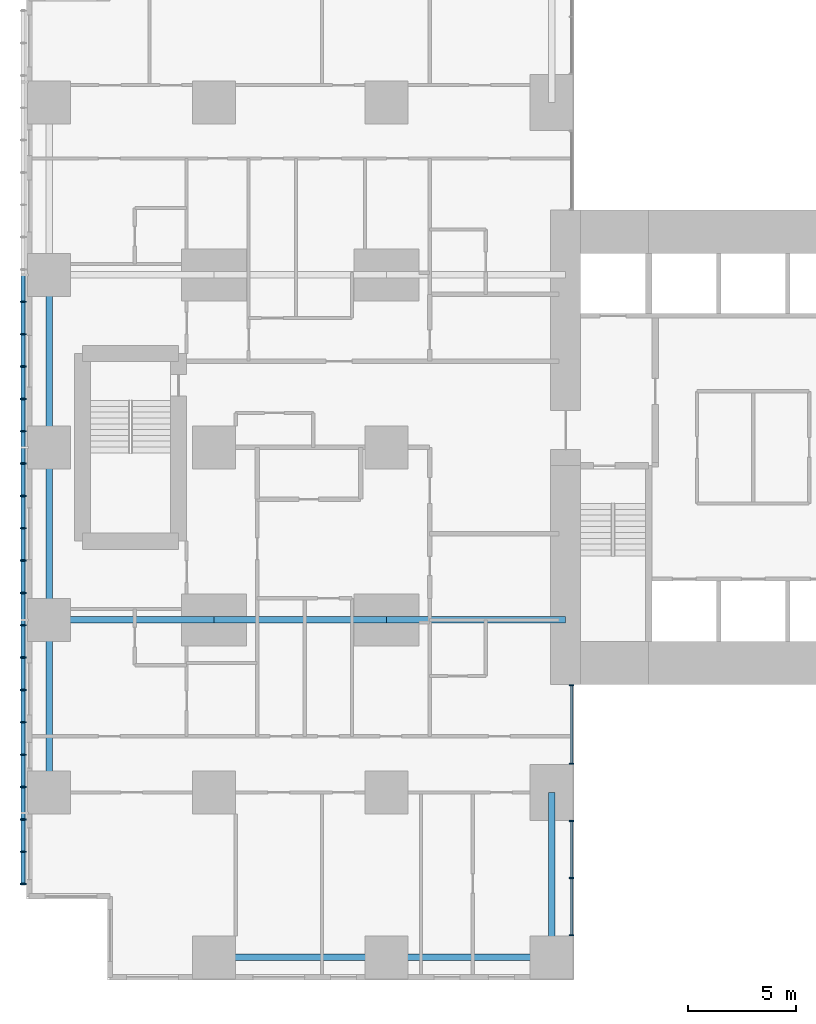
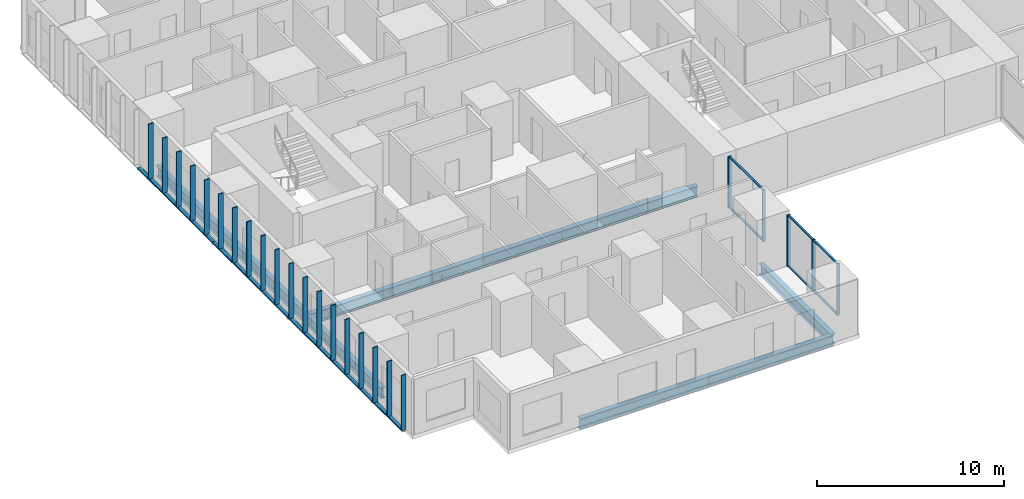
# One storey, part 2 of 20: 33 members, 9 beams, 2 elements without a shape of their own.
"""IFC4 building model written with IfcOpenShell, lengths in metres."""

from ifc_helpers import new_model, si_unit, direction, frame, origin, origin_2d, place, context, subcontext, project, spatial, rectangle, hollow_rectangle, i_section, extrude, material, layer, layer_set, material_profile, profile_set, type_object, element, aggregate, save


model = new_model("IFC4")

# Units and contexts
model_context = context("Model", 3, precision=1e-05, world=origin(), true_north=direction((0.0, 1.0)))
body_context = subcontext(model_context, "Body", "Model", "MODEL_VIEW")
ifc_project = project(units=[si_unit("LENGTHUNIT", "METRE"), si_unit("AREAUNIT", "SQUARE_METRE"), si_unit("VOLUMEUNIT", "CUBIC_METRE"), si_unit("PLANEANGLEUNIT", "RADIAN"), si_unit("MASSUNIT", "GRAM", prefix="KILO")], contexts=[model_context])

# Site, building, storey
site_placement = place(None, origin())
site = spatial("IfcSite", under=ifc_project, at=site_placement, CompositionType="ELEMENT")
building_placement = place(site_placement, origin())
building = spatial("IfcBuilding", under=site, at=building_placement, Name="Cleftline Residences", CompositionType="ELEMENT")
storey_placement = place(building_placement, frame((0.0, 0.0, 36.800048828125)))
storey = spatial("IfcBuildingStorey", under=building, at=storey_placement, Name="L08", CompositionType="ELEMENT", Elevation=36.800048828125)

# Members
ifc_material_1 = material(Name="Steel S355, hot-dip galvanised", Category="steel")
ifc_material_profile_1 = material_profile(ifc_material_1, hollow_rectangle(XDim=0.10009765625, YDim=0.199951171875, WallThickness=0.008056640625, InnerFilletRadius=0.008056640625, OuterFilletRadius=0.011962890625, at=origin_2d()))
ifc_profile_set_1 = profile_set([ifc_material_profile_1], Name="Steel S355, hot-dip galvanised")
member_type_1 = type_object("IfcMemberType", Name="BAGUETTE CARRIER RHS 200X100X8", PredefinedType="USERDEFINED", material=ifc_profile_set_1)
for number, where, z_axis, x_axis, name in (
    (1, (-0.85009765625, 32.0, -0.050048828125), (0.0, -1.0, 0.0), (0.0, 0.0, 1.0), "Baguette carrier"),
    (2, (-0.85009765625, 24.0, -0.050048828125), (0.0, -1.0, 0.0), (0.0, 0.0, 1.0), "Baguette carrier"),
):
    element("IfcMember", number, at=place(storey_placement, frame(where, z_axis=z_axis, x_axis=x_axis)), inside=storey, type_object=member_type_1, Name=name, ObjectType="BAGUETTE CARRIER", PredefinedType="USERDEFINED", context=body_context, shape_type="SweptSolid", body=[
        extrude(hollow_rectangle(XDim=0.10009765625, YDim=0.199951171875, WallThickness=0.008056640625, InnerFilletRadius=0.008056640625, OuterFilletRadius=0.011962890625, at=origin_2d()), origin(), (0.0, 0.0, 1.0), 8.0),
    ])
member_1_placement = place(storey_placement, frame((-0.85009765625, 16.0, -0.050048828125), z_axis=(0.0, -1.0, 0.0), x_axis=(0.0, 0.0, 1.0)))
element("IfcMember", 3, at=member_1_placement, inside=storey, type_object=member_type_1, Name="Baguette carrier", ObjectType="BAGUETTE CARRIER", PredefinedType="USERDEFINED", context=body_context, shape_type="SweptSolid", body=[
    extrude(hollow_rectangle(XDim=0.10009765625, YDim=0.199951171875, WallThickness=0.008056640625, InnerFilletRadius=0.008056640625, OuterFilletRadius=0.011962890625, at=origin_2d()), origin(), (0.0, 0.0, 1.0), 12.300048828125),
])

# Beams
ifc_material_2 = material(Name="Steel S355", Category="steel")
ifc_material_profile_2 = material_profile(ifc_material_2, i_section(OverallWidth=0.300048828125, OverallDepth=0.699951171875, WebThickness=0.01708984375, FlangeThickness=0.031982421875, FilletRadius=0.027099609375, at=origin_2d()))
ifc_profile_set_2 = profile_set([ifc_material_profile_2], Name="Steel S355")
beam_type_1 = type_object("IfcBeamType", Name="BEAM HEB 700", PredefinedType="BEAM", material=ifc_profile_set_2)
for number, where, z_axis, x_axis, name in (
    (4, (0.35009765625, 8.0, -0.60009765625), (0.0, 1.0, 0.0), (-1.0, 0.0, 0.0), "Edge beam"),
    (5, (0.35009765625, 16.0, -0.60009765625), (0.0, 1.0, 0.0), (-1.0, 0.0, 0.0), "Edge beam"),
    (6, (0.35009765625, 24.0, -0.60009765625), (0.0, 1.0, 0.0), (-1.0, 0.0, 0.0), "Edge beam"),
    (7, (8.0, 0.35009765625, -0.60009765625), (1.0, 0.0, 0.0), (0.0, 1.0, 0.0), "Edge beam"),
):
    element("IfcBeam", number, at=place(storey_placement, frame(where, z_axis=z_axis, x_axis=x_axis)), inside=storey, type_object=beam_type_1, Name=name, PredefinedType="BEAM", context=body_context, shape_type="SweptSolid", body=[
        extrude(i_section(OverallWidth=0.300048828125, OverallDepth=0.699951171875, WebThickness=0.01708984375, FlangeThickness=0.031982421875, FilletRadius=0.027099609375, at=origin_2d()), origin(), (0.0, 0.0, 1.0), 8.0),
    ])
for number, where, z_axis, x_axis, name in (
    (8, (16.0, 0.35009765625, -0.60009765625), (1.0, 0.0, 0.0), (0.0, 1.0, 0.0), "Edge beam"),
    (9, (23.64990234375, 0.35009765625, -0.60009765625), (0.0, 1.0, 0.0), (-1.0, 0.0, 0.0), "Edge beam"),
):
    element("IfcBeam", number, at=place(storey_placement, frame(where, z_axis=z_axis, x_axis=x_axis)), inside=storey, type_object=beam_type_1, Name=name, PredefinedType="BEAM", context=body_context, shape_type="SweptSolid", body=[
        extrude(i_section(OverallWidth=0.300048828125, OverallDepth=0.699951171875, WebThickness=0.01708984375, FlangeThickness=0.031982421875, FilletRadius=0.027099609375, at=origin_2d()), origin(), (0.0, 0.0, 1.0), 7.64990234375),
    ])
ifc_material_3 = material(Name="Steel S355", Category="steel")
ifc_material_profile_3 = material_profile(ifc_material_3, i_section(OverallWidth=0.303955078125, OverallDepth=0.716064453125, WebThickness=0.02099609375, FlangeThickness=0.0400390625, FilletRadius=0.027099609375, at=origin_2d()))
ifc_profile_set_3 = profile_set([ifc_material_profile_3], Name="Steel S355")
beam_type_2 = type_object("IfcBeamType", Name="BEAM HEM 700", PredefinedType="BEAM", material=ifc_profile_set_3)
beam_1_placement = place(storey_placement, frame((0.35009765625, 16.0, -0.608154296875), z_axis=(1.0, 0.0, 0.0), x_axis=(0.0, 1.0, 0.0)))
element("IfcBeam", 10, at=beam_1_placement, inside=storey, type_object=beam_type_2, Name="Band beam", PredefinedType="BEAM", context=body_context, shape_type="SweptSolid", body=[
    extrude(i_section(OverallWidth=0.303955078125, OverallDepth=0.716064453125, WebThickness=0.02099609375, FlangeThickness=0.0400390625, FilletRadius=0.027099609375, at=origin_2d()), origin(), (0.0, 0.0, 1.0), 7.64990234375),
])
beam_2_placement = place(storey_placement, frame((8.0, 16.0, -0.608154296875), z_axis=(1.0, 0.0, 0.0), x_axis=(0.0, 1.0, 0.0)))
element("IfcBeam", 11, at=beam_2_placement, inside=storey, type_object=beam_type_2, Name="Band beam", PredefinedType="BEAM", context=body_context, shape_type="SweptSolid", body=[
    extrude(i_section(OverallWidth=0.303955078125, OverallDepth=0.716064453125, WebThickness=0.02099609375, FlangeThickness=0.0400390625, FilletRadius=0.027099609375, at=origin_2d()), origin(), (0.0, 0.0, 1.0), 8.0),
])
beam_3_placement = place(storey_placement, frame((16.0, 16.0, -0.608154296875), z_axis=(1.0, 0.0, 0.0), x_axis=(0.0, 1.0, 0.0)))
element("IfcBeam", 12, at=beam_3_placement, inside=storey, type_object=beam_type_2, Name="Band beam", PredefinedType="BEAM", context=body_context, shape_type="SweptSolid", body=[
    extrude(i_section(OverallWidth=0.303955078125, OverallDepth=0.716064453125, WebThickness=0.02099609375, FlangeThickness=0.0400390625, FilletRadius=0.027099609375, at=origin_2d()), origin(), (0.0, 0.0, 1.0), 8.300048828125),
])

# Curtain wall, members
ifc_material_4 = material(Name="Aluminium framed curtain wall", Category="aluminium")
ifc_layer = layer(ifc_material_4, 0.199951171875)
ifc_layer_set = layer_set([ifc_layer], Name="CW1 CLEFT GLAZING")
curtain_wall_type = type_object("IfcCurtainWallType", Name="CW1 CLEFT GLAZING", PredefinedType="NOTDEFINED", material=ifc_layer_set)
curtain_wall_1_placement = place(storey_placement, origin())
curtain_wall_1 = element("IfcCurtainWall", 13, at=curtain_wall_1_placement, inside=storey, type_object=curtain_wall_type, Name="Curtain wall CW1", PredefinedType="NOTDEFINED")
ifc_material_5 = material(Name="Aluminium mullion", Category="aluminium")
ifc_material_profile_4 = material_profile(ifc_material_5, rectangle(XDim=0.199951171875, YDim=0.06005859375, at=origin_2d()))
ifc_profile_set_4 = profile_set([ifc_material_profile_4], Name="Aluminium mullion")
member_type_2 = type_object("IfcMemberType", Name="CW1 MULLION", PredefinedType="MULLION", material=ifc_profile_set_4)
member_2_placement = place(storey_placement, frame((24.574951171875, 1.3798828125, 0.0), z_axis=(0.0, 0.0, 1.0), x_axis=(-1.0, 0.0, 0.0)))
member_2 = element("IfcMember", 14, at=member_2_placement, type_object=member_type_2, Name="CW1 mullion 1", PredefinedType="MULLION", context=body_context, shape_type="SweptSolid", body=[
    extrude(rectangle(XDim=0.199951171875, YDim=0.06005859375, at=origin_2d()), origin(), (0.0, 0.0, 1.0), 3.349853515625),
])
member_3_placement = place(storey_placement, frame((24.574951171875, 4.02490234375, 0.0), z_axis=(0.0, 0.0, 1.0), x_axis=(-1.0, 0.0, 0.0)))
member_3 = element("IfcMember", 15, at=member_3_placement, type_object=member_type_2, Name="CW1 mullion 2", PredefinedType="MULLION", context=body_context, shape_type="SweptSolid", body=[
    extrude(rectangle(XDim=0.199951171875, YDim=0.06005859375, at=origin_2d()), origin(), (0.0, 0.0, 1.0), 3.349853515625),
])
member_4_placement = place(storey_placement, frame((24.574951171875, 6.669921875, 0.0), z_axis=(0.0, 0.0, 1.0), x_axis=(-1.0, 0.0, 0.0)))
member_4 = element("IfcMember", 16, at=member_4_placement, type_object=member_type_2, Name="CW1 mullion 3", PredefinedType="MULLION", context=body_context, shape_type="SweptSolid", body=[
    extrude(rectangle(XDim=0.199951171875, YDim=0.06005859375, at=origin_2d()), origin(), (0.0, 0.0, 1.0), 3.349853515625),
])

curtain_wall_2_placement = place(storey_placement, origin())
curtain_wall_2 = element("IfcCurtainWall", 17, at=curtain_wall_2_placement, inside=storey, type_object=curtain_wall_type, Name="Curtain wall CW1", PredefinedType="NOTDEFINED")
member_5_placement = place(storey_placement, frame((24.574951171875, 9.330078125, 0.0), z_axis=(0.0, 0.0, 1.0), x_axis=(-1.0, 0.0, 0.0)))
member_5 = element("IfcMember", 18, at=member_5_placement, type_object=member_type_2, Name="CW1 mullion 1", PredefinedType="MULLION", context=body_context, shape_type="SweptSolid", body=[
    extrude(rectangle(XDim=0.199951171875, YDim=0.06005859375, at=origin_2d()), origin(), (0.0, 0.0, 1.0), 3.349853515625),
])
member_6_placement = place(storey_placement, frame((24.574951171875, 12.969970703125, 0.0), z_axis=(0.0, 0.0, 1.0), x_axis=(-1.0, 0.0, 0.0)))
member_6 = element("IfcMember", 19, at=member_6_placement, type_object=member_type_2, Name="CW1 mullion 2", PredefinedType="MULLION", context=body_context, shape_type="SweptSolid", body=[
    extrude(rectangle(XDim=0.199951171875, YDim=0.06005859375, at=origin_2d()), origin(), (0.0, 0.0, 1.0), 3.349853515625),
])

# Member
ifc_material_6 = material(Name="Aluminium transom", Category="aluminium")
ifc_material_profile_5 = material_profile(ifc_material_6, rectangle(XDim=0.1201171875, YDim=0.06005859375, at=origin_2d()))
ifc_profile_set_5 = profile_set([ifc_material_profile_5], Name="Aluminium transom")
member_type_3 = type_object("IfcMemberType", Name="CW1 TRANSOM", PredefinedType="USERDEFINED", material=ifc_profile_set_5)
member_7_placement = place(storey_placement, frame((24.574951171875, 1.409912109375, 0.030029296875), z_axis=(0.0, 1.0, 0.0), x_axis=(-1.0, 0.0, 0.0)))
member_7 = element("IfcMember", 20, at=member_7_placement, type_object=member_type_3, Name="CW1 transom 1.1", ObjectType="TRANSOM", PredefinedType="USERDEFINED", context=body_context, shape_type="SweptSolid", body=[
    extrude(rectangle(XDim=0.1201171875, YDim=0.06005859375, at=origin_2d()), origin(), (0.0, 0.0, 1.0), 2.585205078125),
])

member_8_placement = place(storey_placement, frame((24.574951171875, 1.409912109375, 3.320068359375), z_axis=(0.0, 1.0, 0.0), x_axis=(-1.0, 0.0, 0.0)))
member_8 = element("IfcMember", 21, at=member_8_placement, type_object=member_type_3, Name="CW1 transom 1.2", ObjectType="TRANSOM", PredefinedType="USERDEFINED", context=body_context, shape_type="SweptSolid", body=[
    extrude(rectangle(XDim=0.1201171875, YDim=0.06005859375, at=origin_2d()), origin(), (0.0, 0.0, 1.0), 2.585205078125),
])

member_9_placement = place(storey_placement, frame((24.574951171875, 4.054931640625, 0.030029296875), z_axis=(0.0, 1.0, 0.0), x_axis=(-1.0, 0.0, 0.0)))
member_9 = element("IfcMember", 22, at=member_9_placement, type_object=member_type_3, Name="CW1 transom 2.1", ObjectType="TRANSOM", PredefinedType="USERDEFINED", context=body_context, shape_type="SweptSolid", body=[
    extrude(rectangle(XDim=0.1201171875, YDim=0.06005859375, at=origin_2d()), origin(), (0.0, 0.0, 1.0), 2.5849609375),
])

member_10_placement = place(storey_placement, frame((24.574951171875, 4.054931640625, 3.320068359375), z_axis=(0.0, 1.0, 0.0), x_axis=(-1.0, 0.0, 0.0)))
member_10 = element("IfcMember", 23, at=member_10_placement, type_object=member_type_3, Name="CW1 transom 2.2", ObjectType="TRANSOM", PredefinedType="USERDEFINED", context=body_context, shape_type="SweptSolid", body=[
    extrude(rectangle(XDim=0.1201171875, YDim=0.06005859375, at=origin_2d()), origin(), (0.0, 0.0, 1.0), 2.5849609375),
])

aggregate(curtain_wall_1, [member_2, member_3, member_4, member_7, member_8, member_9, member_10])

member_11_placement = place(storey_placement, frame((24.574951171875, 9.360107421875, 0.030029296875), z_axis=(0.0, 1.0, 0.0), x_axis=(-1.0, 0.0, 0.0)))
member_11 = element("IfcMember", 24, at=member_11_placement, type_object=member_type_3, Name="CW1 transom 1.1", ObjectType="TRANSOM", PredefinedType="USERDEFINED", context=body_context, shape_type="SweptSolid", body=[
    extrude(rectangle(XDim=0.1201171875, YDim=0.06005859375, at=origin_2d()), origin(), (0.0, 0.0, 1.0), 3.579833984375),
])

member_12_placement = place(storey_placement, frame((24.574951171875, 9.360107421875, 3.320068359375), z_axis=(0.0, 1.0, 0.0), x_axis=(-1.0, 0.0, 0.0)))
member_12 = element("IfcMember", 25, at=member_12_placement, type_object=member_type_3, Name="CW1 transom 1.2", ObjectType="TRANSOM", PredefinedType="USERDEFINED", context=body_context, shape_type="SweptSolid", body=[
    extrude(rectangle(XDim=0.1201171875, YDim=0.06005859375, at=origin_2d()), origin(), (0.0, 0.0, 1.0), 3.579833984375),
])

aggregate(curtain_wall_2, [member_5, member_6, member_11, member_12])

# Members
ifc_material_7 = material(Name="Extruded terracotta", Category="masonry")
ifc_material_profile_6 = material_profile(ifc_material_7, rectangle(XDim=0.06005859375, YDim=0.300048828125, at=origin_2d()))
ifc_profile_set_6 = profile_set([ifc_material_profile_6], Name="Extruded terracotta")
member_type_4 = type_object("IfcMemberType", Name="TERRACOTTA BAGUETTE 60X300", PredefinedType="USERDEFINED", material=ifc_profile_set_6)
for number, where, z_axis, x_axis, name in (
    (26, (-0.85009765625, 30.75, 0.0), (0.0, 0.0, 1.0), (0.0, 1.0, 0.0), "Terracotta baguette"),
    (27, (-0.85009765625, 29.25, 0.0), (0.0, 0.0, 1.0), (0.0, 1.0, 0.0), "Terracotta baguette"),
    (28, (-0.85009765625, 27.75, 0.0), (0.0, 0.0, 1.0), (0.0, 1.0, 0.0), "Terracotta baguette"),
    (29, (-0.85009765625, 26.25, 0.0), (0.0, 0.0, 1.0), (0.0, 1.0, 0.0), "Terracotta baguette"),
    (30, (-0.85009765625, 24.75, 0.0), (0.0, 0.0, 1.0), (0.0, 1.0, 0.0), "Terracotta baguette"),
    (31, (-0.85009765625, 23.25, 0.0), (0.0, 0.0, 1.0), (0.0, 1.0, 0.0), "Terracotta baguette"),
    (32, (-0.85009765625, 21.75, 0.0), (0.0, 0.0, 1.0), (0.0, 1.0, 0.0), "Terracotta baguette"),
    (33, (-0.85009765625, 20.25, 0.0), (0.0, 0.0, 1.0), (0.0, 1.0, 0.0), "Terracotta baguette"),
    (34, (-0.85009765625, 18.75, 0.0), (0.0, 0.0, 1.0), (0.0, 1.0, 0.0), "Terracotta baguette"),
    (35, (-0.85009765625, 17.25, 0.0), (0.0, 0.0, 1.0), (0.0, 1.0, 0.0), "Terracotta baguette"),
    (36, (-0.85009765625, 15.75, 0.0), (0.0, 0.0, 1.0), (0.0, 1.0, 0.0), "Terracotta baguette"),
    (37, (-0.85009765625, 14.25, 0.0), (0.0, 0.0, 1.0), (0.0, 1.0, 0.0), "Terracotta baguette"),
    (38, (-0.85009765625, 12.75, 0.0), (0.0, 0.0, 1.0), (0.0, 1.0, 0.0), "Terracotta baguette"),
    (39, (-0.85009765625, 11.25, 0.0), (0.0, 0.0, 1.0), (0.0, 1.0, 0.0), "Terracotta baguette"),
    (40, (-0.85009765625, 9.75, 0.0), (0.0, 0.0, 1.0), (0.0, 1.0, 0.0), "Terracotta baguette"),
    (41, (-0.85009765625, 8.25, 0.0), (0.0, 0.0, 1.0), (0.0, 1.0, 0.0), "Terracotta baguette"),
    (42, (-0.85009765625, 6.75, 0.0), (0.0, 0.0, 1.0), (0.0, 1.0, 0.0), "Terracotta baguette"),
    (43, (-0.85009765625, 5.25, 0.0), (0.0, 0.0, 1.0), (0.0, 1.0, 0.0), "Terracotta baguette"),
    (44, (-0.85009765625, 3.75, 0.0), (0.0, 0.0, 1.0), (0.0, 1.0, 0.0), "Terracotta baguette"),
):
    element("IfcMember", number, at=place(storey_placement, frame(where, z_axis=z_axis, x_axis=x_axis)), inside=storey, type_object=member_type_4, Name=name, ObjectType="BAGUETTE", PredefinedType="USERDEFINED", context=body_context, shape_type="SweptSolid", body=[
        extrude(rectangle(XDim=0.06005859375, YDim=0.300048828125, at=origin_2d()), origin(), (0.0, 0.0, 1.0), 3.599853515625),
    ])

save(model, "model.ifc")
